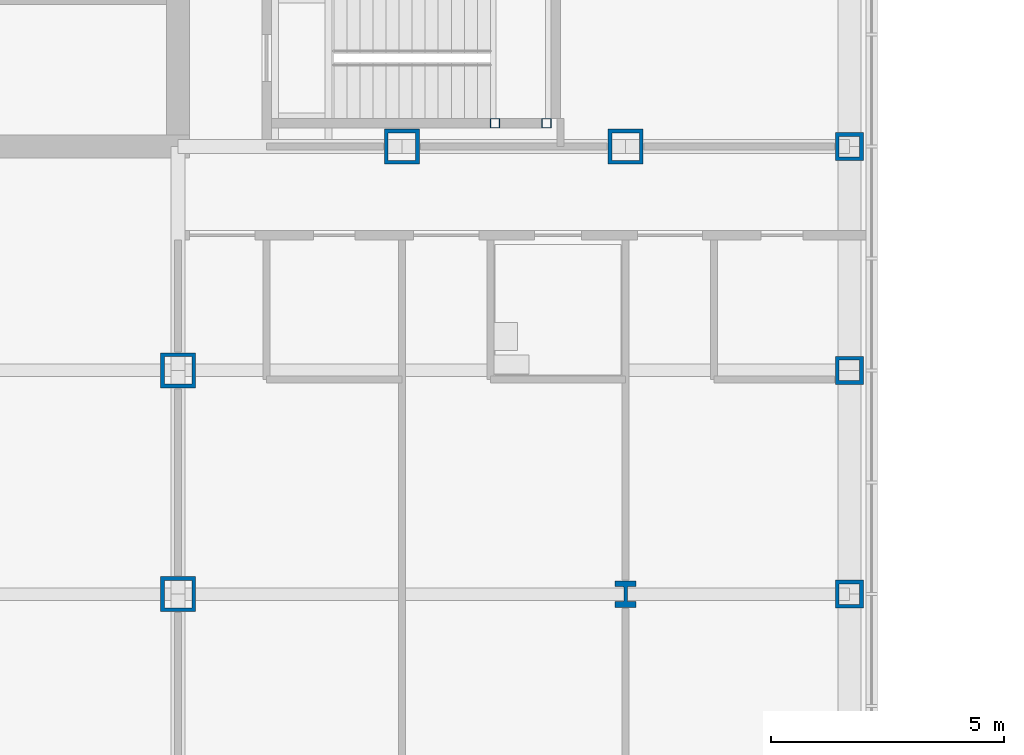
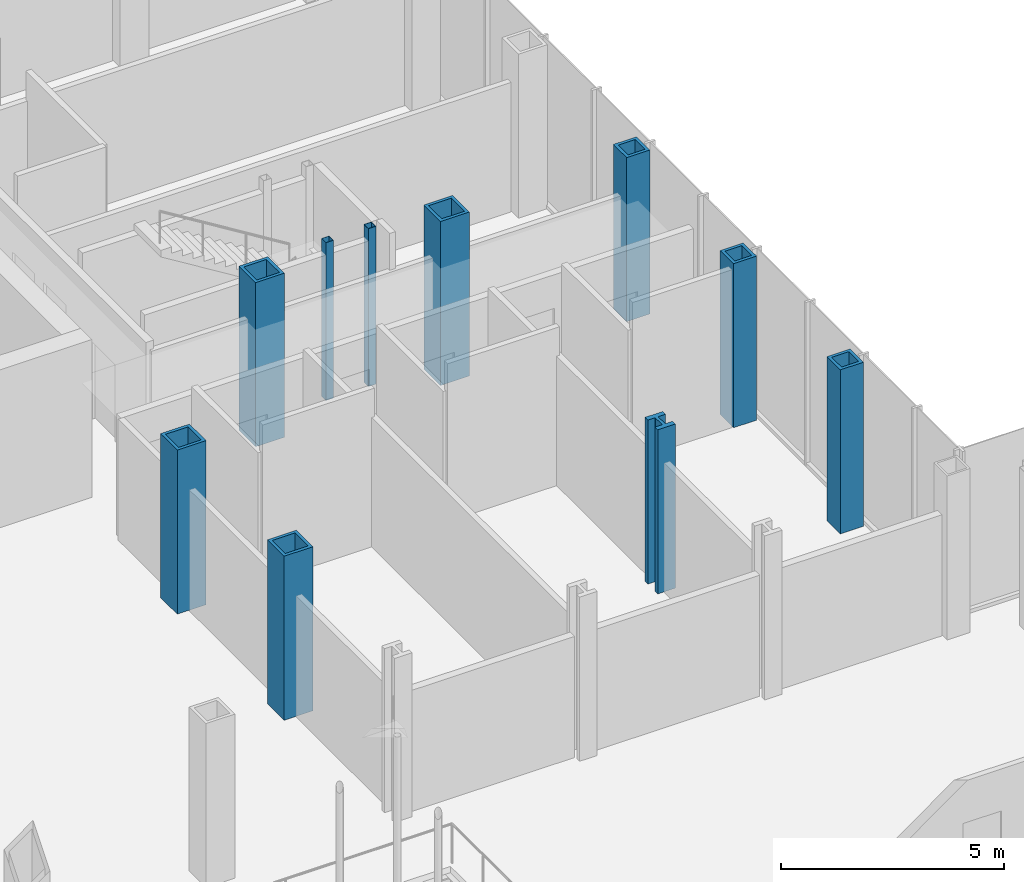
# One storey, part 6 of 28: 10 columns.
"""IFC4 building model written with IfcOpenShell, lengths in metres."""

from ifc_helpers import new_model, si_unit, direction, frame, origin, origin_2d, place, context, subcontext, project, spatial, hollow_rectangle, i_section, extrude, material, material_profile, profile_set, type_object, element, save


model = new_model("IFC4")

# Units and contexts
model_context = context("Model", 3, precision=1e-05, world=origin(), true_north=direction((0.0, 1.0)))
body_context = subcontext(model_context, "Body", "Model", "MODEL_VIEW")
ifc_project = project(units=[si_unit("LENGTHUNIT", "METRE"), si_unit("AREAUNIT", "SQUARE_METRE"), si_unit("VOLUMEUNIT", "CUBIC_METRE"), si_unit("PLANEANGLEUNIT", "RADIAN"), si_unit("MASSUNIT", "GRAM", prefix="KILO")], contexts=[model_context])

# Site, building, storey
site_placement = place(None, origin())
site = spatial("IfcSite", under=ifc_project, at=site_placement, CompositionType="ELEMENT")
building_placement = place(site_placement, origin())
building = spatial("IfcBuilding", under=site, at=building_placement, Name="Kvirike Care Tower", CompositionType="ELEMENT")
storey_placement = place(building_placement, frame((0.0, 0.0, 4.5)))
storey = spatial("IfcBuildingStorey", under=building, at=storey_placement, Name="L01", CompositionType="ELEMENT", Elevation=4.5)

# Columns
ifc_material_1 = material(Name="Steel S460", Category="steel")
ifc_material_profile_1 = material_profile(ifc_material_1, hollow_rectangle(XDim=0.60009765625, YDim=0.60009765625, WallThickness=0.080078125, at=origin_2d()), Name="BX 600x600x80")
ifc_profile_set_1 = profile_set([ifc_material_profile_1], Name="Steel S460")
column_type_1 = type_object("IfcColumnType", Name="COLUMN BX 600x600x80", PredefinedType="COLUMN", material=ifc_profile_set_1)
for number, where, z_axis, x_axis, name in (
    (1, (43.199951171875, 19.199951171875, 0.0), (0.0, 0.0, 1.0), (1.0, 0.0, 0.0), "Column E12 L01"),
    (2, (43.199951171875, 24.0, 0.0), (0.0, 0.0, 1.0), (1.0, 0.0, 0.0), "Column F12 L01"),
    (3, (43.199951171875, 28.800048828125, 0.0), (0.0, 0.0, 1.0), (0.0, 1.0, 0.0), "Column G12 L01"),
):
    element("IfcColumn", number, at=place(storey_placement, frame(where, z_axis=z_axis, x_axis=x_axis)), inside=storey, type_object=column_type_1, Name=name, PredefinedType="COLUMN", context=body_context, shape_type="SweptSolid", body=[
        extrude(hollow_rectangle(XDim=0.60009765625, YDim=0.60009765625, WallThickness=0.080078125, at=origin_2d()), origin(), (0.0, 0.0, 1.0), 4.5),
    ])
ifc_material_2 = material(Name="Steel S460", Category="steel")
ifc_material_profile_2 = material_profile(ifc_material_2, hollow_rectangle(XDim=0.75, YDim=0.75, WallThickness=0.080078125, at=origin_2d()), Name="BX 750x750x80")
ifc_profile_set_2 = profile_set([ifc_material_profile_2], Name="Steel S460")
column_type_2 = type_object("IfcColumnType", Name="COLUMN BX 750x750x80", PredefinedType="COLUMN", material=ifc_profile_set_2)
for number, where, z_axis, x_axis, name in (
    (4, (28.800048828125, 19.199951171875, 0.0), (0.0, 0.0, 1.0), (1.0, 0.0, 0.0), "Column E9 L01"),
    (5, (28.800048828125, 24.0, 0.0), (0.0, 0.0, 1.0), (1.0, 0.0, 0.0), "Column F9 L01"),
    (6, (33.60009765625, 28.800048828125, 0.0), (0.0, 0.0, 1.0), (0.0, 1.0, 0.0), "Column G10 L01"),
    (7, (38.39990234375, 28.800048828125, 0.0), (0.0, 0.0, 1.0), (0.0, 1.0, 0.0), "Column G11 L01"),
):
    element("IfcColumn", number, at=place(storey_placement, frame(where, z_axis=z_axis, x_axis=x_axis)), inside=storey, type_object=column_type_2, Name=name, PredefinedType="COLUMN", context=body_context, shape_type="SweptSolid", body=[
        extrude(hollow_rectangle(XDim=0.75, YDim=0.75, WallThickness=0.080078125, at=origin_2d()), origin(), (0.0, 0.0, 1.0), 4.5),
    ])
ifc_material_3 = material(Name="Steel S460", Category="steel")
ifc_material_profile_3 = material_profile(ifc_material_3, i_section(OverallWidth=0.4541015625, OverallDepth=0.569091796875, WebThickness=0.077880859375, FlangeThickness=0.125, FilletRadius=0.014892578125, at=origin_2d()), Name="HD 400x1086")
ifc_profile_set_3 = profile_set([ifc_material_profile_3], Name="Steel S460")
column_type_3 = type_object("IfcColumnType", Name="COLUMN HD 400x1086", PredefinedType="COLUMN", material=ifc_profile_set_3)
column_placement = place(storey_placement, frame((38.39990234375, 19.199951171875, 0.0), z_axis=(0.0, 0.0, 1.0), x_axis=(1.0, 0.0, 0.0)))
element("IfcColumn", 8, at=column_placement, inside=storey, type_object=column_type_3, Name="Column E11 L01", PredefinedType="COLUMN", context=body_context, shape_type="SweptSolid", body=[
    extrude(i_section(OverallWidth=0.4541015625, OverallDepth=0.569091796875, WebThickness=0.077880859375, FlangeThickness=0.125, FilletRadius=0.014892578125, at=origin_2d()), origin(), (0.0, 0.0, 1.0), 4.5),
])
ifc_material_4 = material(Name="Steel S460", Category="steel")
ifc_material_profile_4 = material_profile(ifc_material_4, hollow_rectangle(XDim=0.199951171875, YDim=0.199951171875, WallThickness=0.008056640625, at=origin_2d()), Name="SHS 200x200x8")
ifc_profile_set_4 = profile_set([ifc_material_profile_4], Name="Steel S460")
column_type_4 = type_object("IfcColumnType", Name="STAIR POST SHS 200x200x8", PredefinedType="COLUMN", material=ifc_profile_set_4)
for number, where, z_axis, x_axis, name in (
    (9, (36.699951171875, 29.300048828125, 0.0), (0.0, 0.0, 1.0), (1.0, 0.0, 0.0), "Stair 2 post 1 L01"),
    (10, (35.60009765625, 29.300048828125, 0.0), (0.0, 0.0, 1.0), (1.0, 0.0, 0.0), "Stair 2 post 3 L01"),
):
    element("IfcColumn", number, at=place(storey_placement, frame(where, z_axis=z_axis, x_axis=x_axis)), inside=storey, type_object=column_type_4, Name=name, PredefinedType="COLUMN", context=body_context, shape_type="SweptSolid", body=[
        extrude(hollow_rectangle(XDim=0.199951171875, YDim=0.199951171875, WallThickness=0.008056640625, at=origin_2d()), origin(), (0.0, 0.0, 1.0), 4.330078125),
    ])

save(model, "model.ifc")
